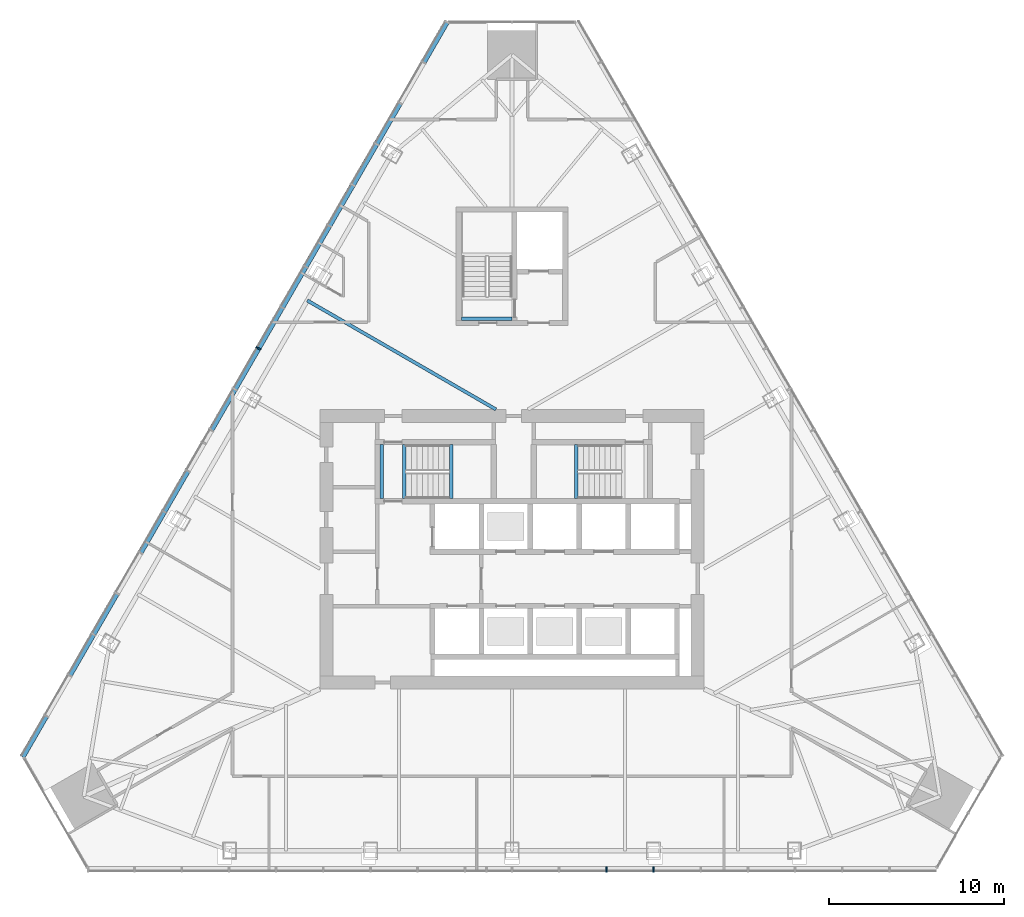
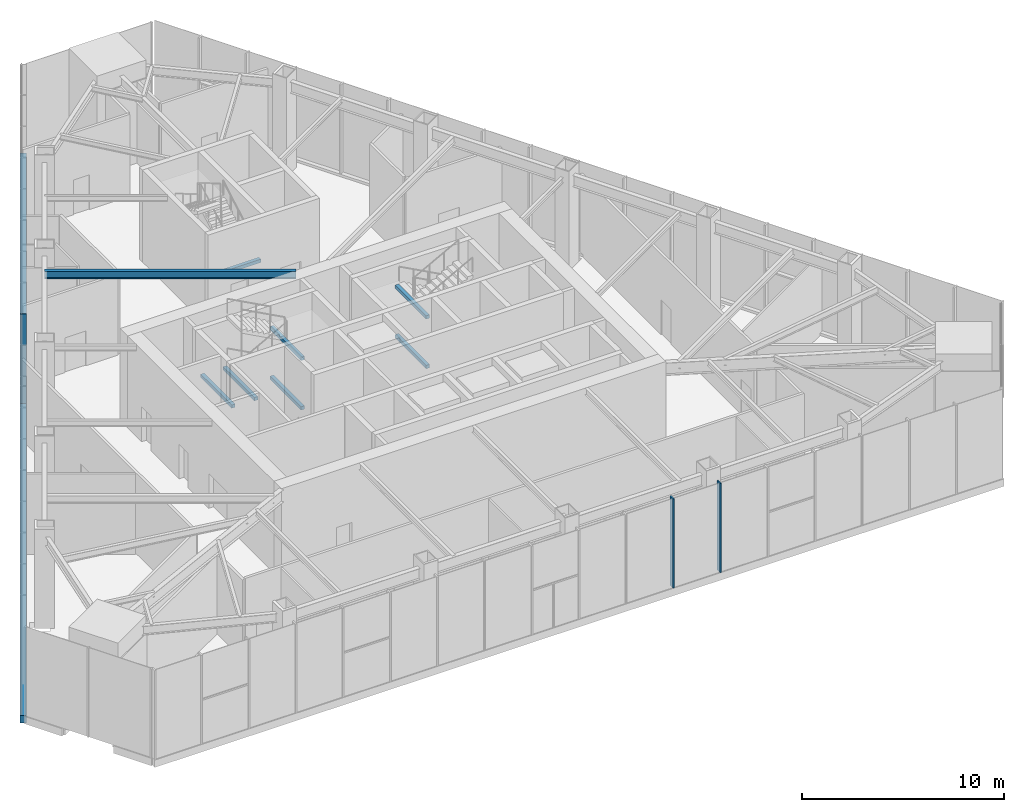
# One storey, part 4 of 16: 8 beams, 4 members, 2 elements without a shape of their own.
"""IFC4 building model written with IfcOpenShell, lengths in metres."""

from ifc_helpers import new_model, si_unit, direction, frame, origin, origin_2d, place, context, subcontext, project, spatial, rectangle, i_section, extrude, material, layer, layer_set, material_profile, profile_set, type_object, element, aggregate, save


model = new_model("IFC4")

# Units and contexts
model_context = context("Model", 3, precision=1e-05, world=origin(), true_north=direction((0.0, 1.0)))
body_context = subcontext(model_context, "Body", "Model", "MODEL_VIEW")
ifc_project = project(units=[si_unit("LENGTHUNIT", "METRE"), si_unit("AREAUNIT", "SQUARE_METRE"), si_unit("VOLUMEUNIT", "CUBIC_METRE"), si_unit("PLANEANGLEUNIT", "RADIAN"), si_unit("MASSUNIT", "GRAM", prefix="KILO")], contexts=[model_context])

# Site, building, storey
site_placement = place(None, origin())
site = spatial("IfcSite", under=ifc_project, at=site_placement, CompositionType="ELEMENT")
building_placement = place(site_placement, origin())
building = spatial("IfcBuilding", under=site, at=building_placement, Name="Firuza Gate Tower and Library", CompositionType="ELEMENT")
storey_placement = place(building_placement, frame((0.0, 0.0, 241.60009765625)))
storey = spatial("IfcBuildingStorey", under=building, at=storey_placement, Name="L57", CompositionType="ELEMENT", Elevation=241.60009765625)

# Curtain wall, members
ifc_material_1 = material(Name="Aluminium 6063-T6", Category="aluminium")
ifc_layer = layer(ifc_material_1, 0.14990234375)
ifc_layer_set = layer_set([ifc_layer], Name="Unitised curtain wall, hotel")
curtain_wall_type = type_object("IfcCurtainWallType", Name="Unitised curtain wall, hotel", PredefinedType="NOTDEFINED", material=ifc_layer_set)
placement = place(storey_placement, origin())
curtain_wall_1 = element("IfcCurtainWall", 1, at=placement, inside=storey, type_object=curtain_wall_type, Name="CW2 L57 S face", PredefinedType="NOTDEFINED")
ifc_material_2 = material(Name="Aluminium 6063-T6", Category="aluminium")
ifc_material_profile_1 = material_profile(ifc_material_2, rectangle(XDim=0.320068359375, YDim=0.080078125, at=origin_2d()))
ifc_profile_set_1 = profile_set([ifc_material_profile_1], Name="Aluminium 6063-T6")
member_type_1 = type_object("IfcMemberType", Name="Curtain wall mullion 80x320", PredefinedType="MULLION", material=ifc_profile_set_1)
member_1_placement = place(storey_placement, frame((80.4013671875, 56.675048828125, 0.14990234375), z_axis=(0.0, 0.0, 1.0), x_axis=(0.0, 1.0, 0.0)))
member_1 = element("IfcMember", 2, at=member_1_placement, type_object=member_type_1, Name="Mullion", PredefinedType="MULLION", context=body_context, shape_type="SweptSolid", body=[
    extrude(rectangle(XDim=0.320068359375, YDim=0.080078125, at=origin_2d()), origin(), (0.0, 0.0, 1.0), 5.39990234375),
])
member_2_placement = place(storey_placement, frame((83.101806640625, 56.675048828125, 0.14990234375), z_axis=(0.0, 0.0, 1.0), x_axis=(0.0, 1.0, 0.0)))
member_2 = element("IfcMember", 3, at=member_2_placement, type_object=member_type_1, Name="Mullion", PredefinedType="MULLION", context=body_context, shape_type="SweptSolid", body=[
    extrude(rectangle(XDim=0.320068359375, YDim=0.080078125, at=origin_2d()), origin(), (0.0, 0.0, 1.0), 5.39990234375),
])
aggregate(curtain_wall_1, [member_1, member_2])

curtain_wall_2 = element("IfcCurtainWall", 4, at=placement, inside=storey, type_object=curtain_wall_type, Name="CW2 L57 W face", PredefinedType="NOTDEFINED")
member_3_placement = place(storey_placement, frame((60.48046875, 86.501220703125, 0.14990234375), z_axis=(0.0, 0.0, 1.0), x_axis=(0.866025403784, -0.5, 0.0)))
member_3 = element("IfcMember", 5, at=member_3_placement, type_object=member_type_1, Name="Mullion", PredefinedType="MULLION", context=body_context, shape_type="SweptSolid", body=[
    extrude(rectangle(XDim=0.320068359375, YDim=0.080078125, at=origin_2d()), origin(), (0.0, 0.0, 1.0), 5.39990234375),
])
ifc_material_3 = material(Name="Aluminium 6063-T6", Category="aluminium")
ifc_material_profile_2 = material_profile(ifc_material_3, rectangle(XDim=0.320068359375, YDim=0.449951171875, at=origin_2d()))
ifc_profile_set_2 = profile_set([ifc_material_profile_2], Name="Aluminium 6063-T6")
member_type_2 = type_object("IfcMemberType", Name="Curtain wall transom 450x320", PredefinedType="USERDEFINED", material=ifc_profile_set_2)
member_4_placement = place(storey_placement, frame((71.283203125, 105.211669921875, -0.0751953125), z_axis=(-0.500003875878, -0.866023166034, 0.0), x_axis=(0.866023166034, -0.500003875878, 0.0)))
member_4 = element("IfcMember", 6, at=member_4_placement, type_object=member_type_2, Name="Transom", ObjectType="TRANSOM", PredefinedType="USERDEFINED", context=body_context, shape_type="SweptSolid", body=[
    extrude(rectangle(XDim=0.320068359375, YDim=0.449951171875, at=origin_2d()), origin(), (0.0, 0.0, 1.0), 48.611328125),
])
aggregate(curtain_wall_2, [member_3, member_4])

# Beams
ifc_material_4 = material(Name="Concrete C35/45", Category="concrete")
ifc_material_profile_3 = material_profile(ifc_material_4, rectangle(XDim=0.199951171875, YDim=0.199951171875, at=origin_2d()))
ifc_profile_set_3 = profile_set([ifc_material_profile_3], Name="Concrete C35/45")
beam_type_1 = type_object("IfcBeamType", Name="Stair landing bearer 200x200", PredefinedType="BEAM", material=ifc_profile_set_3)
for number, where, z_axis, x_axis, name in (
    (7, (71.52001953125, 77.89990234375, 1.199951171875), (0.0, 1.0, 0.0), (-1.0, 0.0, 0.0), "Landing bearer L57 stair 1"),
    (8, (68.840087890625, 77.89990234375, 2.699951171875), (0.0, 1.0, 0.0), (-1.0, 0.0, 0.0), "Landing bearer L57 stair 1"),
    (9, (67.550048828125, 77.89990234375, 2.699951171875), (0.0, 1.0, 0.0), (-1.0, 0.0, 0.0), "Landing bearer L57 stair 1"),
    (10, (71.52001953125, 77.89990234375, 4.199951171875), (0.0, 1.0, 0.0), (-1.0, 0.0, 0.0), "Landing bearer L57 stair 1"),
    (11, (78.679931640625, 80.97998046875, 1.199951171875), (0.0, -1.0, 0.0), (1.0, 0.0, 0.0), "Landing bearer L57 stair 2"),
    (12, (78.679931640625, 80.97998046875, 4.199951171875), (0.0, -1.0, 0.0), (1.0, 0.0, 0.0), "Landing bearer L57 stair 2"),
):
    element("IfcBeam", number, at=place(storey_placement, frame(where, z_axis=z_axis, x_axis=x_axis)), inside=storey, type_object=beam_type_1, Name=name, PredefinedType="BEAM", context=body_context, shape_type="SweptSolid", body=[
        extrude(rectangle(XDim=0.199951171875, YDim=0.199951171875, at=origin_2d()), origin(), (0.0, 0.0, 1.0), 3.080078125),
    ])
beam_1_placement = place(storey_placement, frame((75.0, 88.199951171875, 2.699951171875), z_axis=(-1.0, 0.0, 0.0), x_axis=(0.0, -1.0, 0.0)))
element("IfcBeam", 13, at=beam_1_placement, inside=storey, type_object=beam_type_1, Name="Landing bearer L57 stair 3", PredefinedType="BEAM", context=body_context, shape_type="SweptSolid", body=[
    extrude(rectangle(XDim=0.199951171875, YDim=0.199951171875, at=origin_2d()), origin(), (0.0, 0.0, 1.0), 2.89990234375),
])
ifc_material_5 = material(Name="Steel S355", Category="steel")
ifc_material_profile_4 = material_profile(ifc_material_5, i_section(OverallWidth=0.18994140625, OverallDepth=0.45703125, WebThickness=0.009033203125, FlangeThickness=0.014404296875, at=origin_2d()))
ifc_profile_set_4 = profile_set([ifc_material_profile_4], Name="Steel S355")
beam_type_2 = type_object("IfcBeamType", Name="W460x74 Floor beam", PredefinedType="JOIST", material=ifc_profile_set_4)
beam_2_placement = place(storey_placement, frame((63.283203125, 89.235595703125, 5.3212890625), z_axis=(0.866023888189, -0.500002625079, 0.0), x_axis=(0.500002625079, 0.866023888189, 0.0)))
element("IfcBeam", 14, at=beam_2_placement, inside=storey, type_object=beam_type_2, Name="Floor beam L57 s81", PredefinedType="JOIST", context=body_context, shape_type="SweptSolid", body=[
    extrude(i_section(OverallWidth=0.18994140625, OverallDepth=0.45703125, WebThickness=0.009033203125, FlangeThickness=0.014404296875, at=origin_2d()), origin(), (0.0, 0.0, 1.0), 12.47119140625),
])

save(model, "model.ifc")
